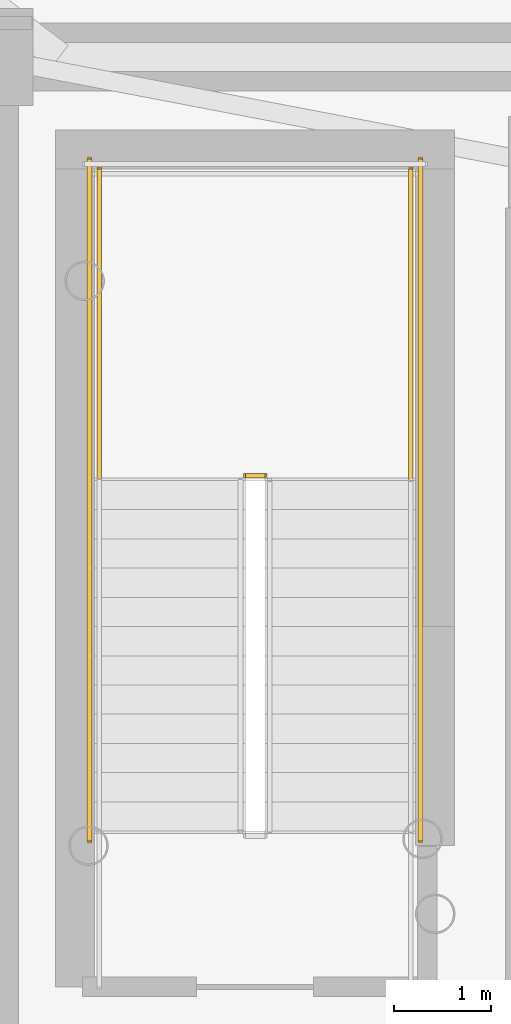
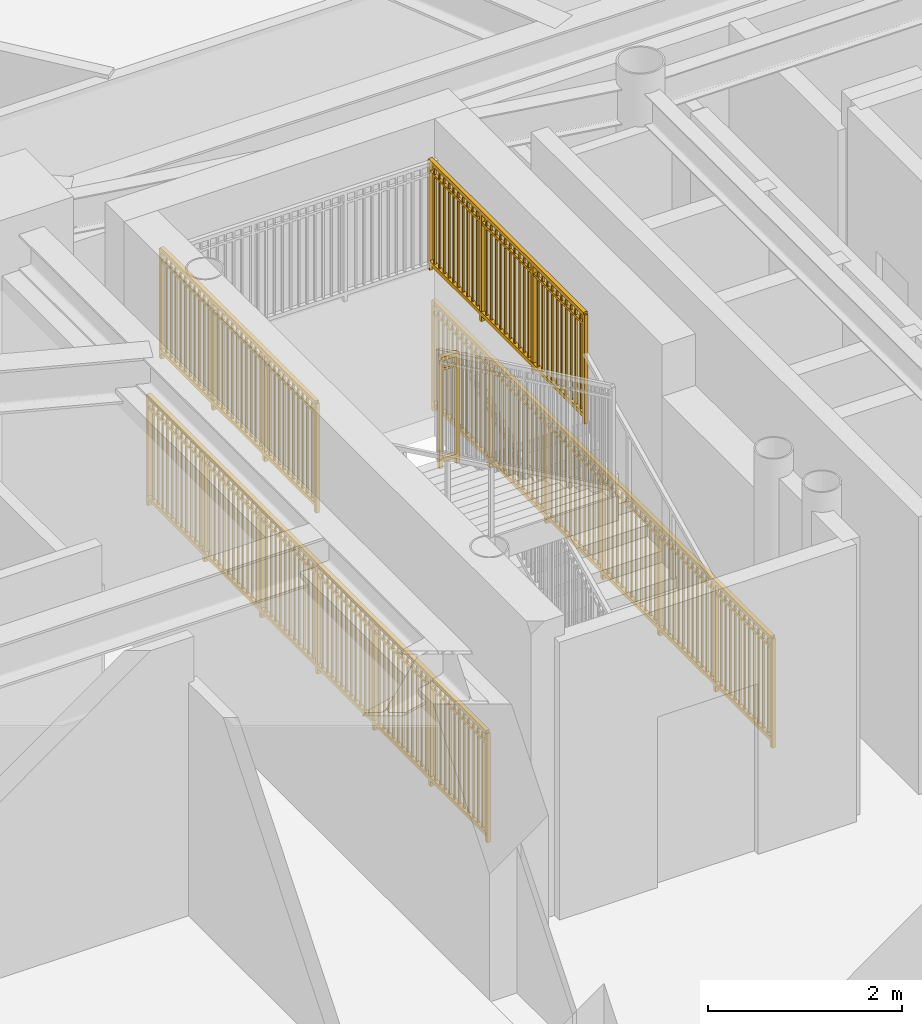
# One storey, part 16 of 19: 5 railings.
"""IFC4 building model written with IfcOpenShell, lengths in metres."""

from ifc_helpers import new_model, si_unit, direction, frame, origin, origin_2d, place, context, subcontext, project, spatial, rectangle, extrude, source, transform, mapped, material, type_object, element, save


model = new_model("IFC4")

# Units and contexts
model_context = context("Model", 3, precision=1e-05, world=origin(), true_north=direction((0.0, 1.0)))
body_context = subcontext(model_context, "Body", "Model", "MODEL_VIEW")
ifc_project = project(units=[si_unit("LENGTHUNIT", "METRE"), si_unit("AREAUNIT", "SQUARE_METRE"), si_unit("VOLUMEUNIT", "CUBIC_METRE"), si_unit("PLANEANGLEUNIT", "RADIAN"), si_unit("MASSUNIT", "GRAM", prefix="KILO")], contexts=[model_context])

# Site, building, storey
site_placement = place(None, origin())
site = spatial("IfcSite", under=ifc_project, at=site_placement, CompositionType="ELEMENT")
building_placement = place(site_placement, origin())
building = spatial("IfcBuilding", under=site, at=building_placement, Name="Linh Dai School and Residence Tower", CompositionType="ELEMENT")
storey_placement = place(building_placement, frame((0.0, 0.0, 210.300048828125)))
storey = spatial("IfcBuildingStorey", under=building, at=storey_placement, Name="L51", CompositionType="ELEMENT", Elevation=210.300048828125)

# Railings
ifc_material = material(Name="Structural Steel S355JR", Category="steel")
railing_type = type_object("IfcRailingType", Name="RL-ST-GUARD-1400", PredefinedType="GUARDRAIL", material=ifc_material)
shared_shape_1 = source(origin(), body_context, "Body", "SweptSolid", [
    extrude(rectangle(XDim=0.048095703125, YDim=0.048095703125, at=origin_2d()), frame((0.0, 0.0, 1.3759765625), z_axis=(-1.0, 0.0, 0.0), x_axis=(0.0, -1.0, 0.0)), (0.0, 0.0, 1.0), 0.199951171875),
    extrude(rectangle(XDim=0.048095703125, YDim=0.048095703125, at=origin_2d()), frame((0.0, 0.0, 0.10009765625), z_axis=(-1.0, 0.0, 0.0), x_axis=(0.0, -1.0, 0.0)), (0.0, 0.0, 1.0), 0.199951171875),
    extrude(rectangle(XDim=0.030029296875, YDim=0.030029296875, at=origin_2d()), frame((0.0, 0.0, 1.239990234375), z_axis=(-1.0, 0.0, 0.0), x_axis=(0.0, -1.0, 0.0)), (0.0, 0.0, 1.0), 0.199951171875),
    extrude(rectangle(XDim=0.0419921875, YDim=0.0419921875, at=origin_2d()), origin(), (0.0, 0.0, 1.0), 1.3759765625),
    extrude(rectangle(XDim=0.0419921875, YDim=0.0419921875, at=origin_2d()), frame((-0.199951171875, 0.0, 0.0)), (0.0, 0.0, 1.0), 1.3759765625),
])
railing_placement = place(storey_placement, frame((29.429931640625, 29.35009765625, 1.875)))
element("IfcRailing", 1, at=railing_placement, inside=storey, type_object=railing_type, Name="L51 ST1 stair guard 2", PredefinedType="GUARDRAIL", context=body_context, shape_type="MappedRepresentation", body=[
    mapped(shared_shape_1, transform((0.0, 0.0, 0.0), x_axis=(1.0, 0.0, 0.0), y_axis=(0.0, 1.0, 0.0), z_axis=(0.0, 0.0, 1.0), scale=1.0)),
])
shared_shape_2 = source(origin(), body_context, "Body", "SweptSolid", [
    extrude(rectangle(XDim=0.048095703125, YDim=0.048095703125, at=origin_2d()), frame((0.0, 0.0, 1.3759765625), z_axis=(0.0, 1.0, 0.0), x_axis=(-1.0, 0.0, 0.0)), (0.0, 0.0, 1.0), 7.0),
    extrude(rectangle(XDim=0.048095703125, YDim=0.048095703125, at=origin_2d()), frame((0.0, 0.0, 0.10009765625), z_axis=(0.0, 1.0, 0.0), x_axis=(-1.0, 0.0, 0.0)), (0.0, 0.0, 1.0), 7.0),
    extrude(rectangle(XDim=0.030029296875, YDim=0.030029296875, at=origin_2d()), frame((0.0, 0.0, 1.239990234375), z_axis=(0.0, 1.0, 0.0), x_axis=(-1.0, 0.0, 0.0)), (0.0, 0.0, 1.0), 7.0),
    extrude(rectangle(XDim=0.02001953125, YDim=0.02001953125, at=origin_2d()), frame((0.0, 0.09716796875, 0.10009765625)), (0.0, 0.0, 1.0), 1.251708984375),
    extrude(rectangle(XDim=0.02001953125, YDim=0.02001953125, at=origin_2d()), frame((0.0, 0.1943359375, 0.10009765625)), (0.0, 0.0, 1.0), 1.251708984375),
    extrude(rectangle(XDim=0.02001953125, YDim=0.02001953125, at=origin_2d()), frame((0.0, 0.291748046875, 0.10009765625)), (0.0, 0.0, 1.0), 1.251708984375),
    extrude(rectangle(XDim=0.02001953125, YDim=0.02001953125, at=origin_2d()), frame((0.0, 0.388916015625, 0.10009765625)), (0.0, 0.0, 1.0), 1.251708984375),
    extrude(rectangle(XDim=0.02001953125, YDim=0.02001953125, at=origin_2d()), frame((0.0, 0.486083984375, 0.10009765625)), (0.0, 0.0, 1.0), 1.251708984375),
    extrude(rectangle(XDim=0.02001953125, YDim=0.02001953125, at=origin_2d()), frame((0.0, 0.583251953125, 0.10009765625)), (0.0, 0.0, 1.0), 1.251708984375),
    extrude(rectangle(XDim=0.02001953125, YDim=0.02001953125, at=origin_2d()), frame((0.0, 0.6806640625, 0.10009765625)), (0.0, 0.0, 1.0), 1.251708984375),
    extrude(rectangle(XDim=0.02001953125, YDim=0.02001953125, at=origin_2d()), frame((0.0, 0.77783203125, 0.10009765625)), (0.0, 0.0, 1.0), 1.251708984375),
    extrude(rectangle(XDim=0.02001953125, YDim=0.02001953125, at=origin_2d()), frame((0.0, 0.875, 0.10009765625)), (0.0, 0.0, 1.0), 1.251708984375),
    extrude(rectangle(XDim=0.02001953125, YDim=0.02001953125, at=origin_2d()), frame((0.0, 0.97216796875, 0.10009765625)), (0.0, 0.0, 1.0), 1.251708984375),
    extrude(rectangle(XDim=0.02001953125, YDim=0.02001953125, at=origin_2d()), frame((0.0, 1.0693359375, 0.10009765625)), (0.0, 0.0, 1.0), 1.251708984375),
    extrude(rectangle(XDim=0.02001953125, YDim=0.02001953125, at=origin_2d()), frame((0.0, 1.263916015625, 0.10009765625)), (0.0, 0.0, 1.0), 1.251708984375),
    extrude(rectangle(XDim=0.02001953125, YDim=0.02001953125, at=origin_2d()), frame((0.0, 1.361083984375, 0.10009765625)), (0.0, 0.0, 1.0), 1.251708984375),
    extrude(rectangle(XDim=0.02001953125, YDim=0.02001953125, at=origin_2d()), frame((0.0, 1.458251953125, 0.10009765625)), (0.0, 0.0, 1.0), 1.251708984375),
    extrude(rectangle(XDim=0.02001953125, YDim=0.02001953125, at=origin_2d()), frame((0.0, 1.5556640625, 0.10009765625)), (0.0, 0.0, 1.0), 1.251708984375),
    extrude(rectangle(XDim=0.02001953125, YDim=0.02001953125, at=origin_2d()), frame((0.0, 1.65283203125, 0.10009765625)), (0.0, 0.0, 1.0), 1.251708984375),
    extrude(rectangle(XDim=0.02001953125, YDim=0.02001953125, at=origin_2d()), frame((0.0, 1.75, 0.10009765625)), (0.0, 0.0, 1.0), 1.251708984375),
    extrude(rectangle(XDim=0.02001953125, YDim=0.02001953125, at=origin_2d()), frame((0.0, 1.84716796875, 0.10009765625)), (0.0, 0.0, 1.0), 1.251708984375),
    extrude(rectangle(XDim=0.02001953125, YDim=0.02001953125, at=origin_2d()), frame((0.0, 1.9443359375, 0.10009765625)), (0.0, 0.0, 1.0), 1.251708984375),
    extrude(rectangle(XDim=0.02001953125, YDim=0.02001953125, at=origin_2d()), frame((0.0, 2.041748046875, 0.10009765625)), (0.0, 0.0, 1.0), 1.251708984375),
    extrude(rectangle(XDim=0.02001953125, YDim=0.02001953125, at=origin_2d()), frame((0.0, 2.138916015625, 0.10009765625)), (0.0, 0.0, 1.0), 1.251708984375),
    extrude(rectangle(XDim=0.02001953125, YDim=0.02001953125, at=origin_2d()), frame((0.0, 2.236083984375, 0.10009765625)), (0.0, 0.0, 1.0), 1.251708984375),
    extrude(rectangle(XDim=0.02001953125, YDim=0.02001953125, at=origin_2d()), frame((0.0, 2.4306640625, 0.10009765625)), (0.0, 0.0, 1.0), 1.251708984375),
    extrude(rectangle(XDim=0.02001953125, YDim=0.02001953125, at=origin_2d()), frame((0.0, 2.52783203125, 0.10009765625)), (0.0, 0.0, 1.0), 1.251708984375),
    extrude(rectangle(XDim=0.02001953125, YDim=0.02001953125, at=origin_2d()), frame((0.0, 2.625, 0.10009765625)), (0.0, 0.0, 1.0), 1.251708984375),
    extrude(rectangle(XDim=0.02001953125, YDim=0.02001953125, at=origin_2d()), frame((0.0, 2.72216796875, 0.10009765625)), (0.0, 0.0, 1.0), 1.251708984375),
    extrude(rectangle(XDim=0.02001953125, YDim=0.02001953125, at=origin_2d()), frame((0.0, 2.8193359375, 0.10009765625)), (0.0, 0.0, 1.0), 1.251708984375),
    extrude(rectangle(XDim=0.02001953125, YDim=0.02001953125, at=origin_2d()), frame((0.0, 2.916748046875, 0.10009765625)), (0.0, 0.0, 1.0), 1.251708984375),
    extrude(rectangle(XDim=0.02001953125, YDim=0.02001953125, at=origin_2d()), frame((0.0, 3.013916015625, 0.10009765625)), (0.0, 0.0, 1.0), 1.251708984375),
    extrude(rectangle(XDim=0.02001953125, YDim=0.02001953125, at=origin_2d()), frame((0.0, 3.111083984375, 0.10009765625)), (0.0, 0.0, 1.0), 1.251708984375),
    extrude(rectangle(XDim=0.02001953125, YDim=0.02001953125, at=origin_2d()), frame((0.0, 3.208251953125, 0.10009765625)), (0.0, 0.0, 1.0), 1.251708984375),
    extrude(rectangle(XDim=0.02001953125, YDim=0.02001953125, at=origin_2d()), frame((0.0, 3.3056640625, 0.10009765625)), (0.0, 0.0, 1.0), 1.251708984375),
    extrude(rectangle(XDim=0.02001953125, YDim=0.02001953125, at=origin_2d()), frame((0.0, 3.40283203125, 0.10009765625)), (0.0, 0.0, 1.0), 1.251708984375),
    extrude(rectangle(XDim=0.02001953125, YDim=0.02001953125, at=origin_2d()), frame((0.0, 3.59716796875, 0.10009765625)), (0.0, 0.0, 1.0), 1.251708984375),
    extrude(rectangle(XDim=0.02001953125, YDim=0.02001953125, at=origin_2d()), frame((0.0, 3.6943359375, 0.10009765625)), (0.0, 0.0, 1.0), 1.251708984375),
    extrude(rectangle(XDim=0.02001953125, YDim=0.02001953125, at=origin_2d()), frame((0.0, 3.791748046875, 0.10009765625)), (0.0, 0.0, 1.0), 1.251708984375),
    extrude(rectangle(XDim=0.02001953125, YDim=0.02001953125, at=origin_2d()), frame((0.0, 3.888916015625, 0.10009765625)), (0.0, 0.0, 1.0), 1.251708984375),
    extrude(rectangle(XDim=0.02001953125, YDim=0.02001953125, at=origin_2d()), frame((0.0, 3.986083984375, 0.10009765625)), (0.0, 0.0, 1.0), 1.251708984375),
    extrude(rectangle(XDim=0.02001953125, YDim=0.02001953125, at=origin_2d()), frame((0.0, 4.083251953125, 0.10009765625)), (0.0, 0.0, 1.0), 1.251708984375),
    extrude(rectangle(XDim=0.02001953125, YDim=0.02001953125, at=origin_2d()), frame((0.0, 4.1806640625, 0.10009765625)), (0.0, 0.0, 1.0), 1.251708984375),
    extrude(rectangle(XDim=0.02001953125, YDim=0.02001953125, at=origin_2d()), frame((0.0, 4.27783203125, 0.10009765625)), (0.0, 0.0, 1.0), 1.251708984375),
    extrude(rectangle(XDim=0.02001953125, YDim=0.02001953125, at=origin_2d()), frame((0.0, 4.375, 0.10009765625)), (0.0, 0.0, 1.0), 1.251708984375),
    extrude(rectangle(XDim=0.02001953125, YDim=0.02001953125, at=origin_2d()), frame((0.0, 4.47216796875, 0.10009765625)), (0.0, 0.0, 1.0), 1.251708984375),
    extrude(rectangle(XDim=0.02001953125, YDim=0.02001953125, at=origin_2d()), frame((0.0, 4.5693359375, 0.10009765625)), (0.0, 0.0, 1.0), 1.251708984375),
    extrude(rectangle(XDim=0.02001953125, YDim=0.02001953125, at=origin_2d()), frame((0.0, 4.763916015625, 0.10009765625)), (0.0, 0.0, 1.0), 1.251708984375),
    extrude(rectangle(XDim=0.02001953125, YDim=0.02001953125, at=origin_2d()), frame((0.0, 4.861083984375, 0.10009765625)), (0.0, 0.0, 1.0), 1.251708984375),
    extrude(rectangle(XDim=0.02001953125, YDim=0.02001953125, at=origin_2d()), frame((0.0, 4.958251953125, 0.10009765625)), (0.0, 0.0, 1.0), 1.251708984375),
    extrude(rectangle(XDim=0.02001953125, YDim=0.02001953125, at=origin_2d()), frame((0.0, 5.0556640625, 0.10009765625)), (0.0, 0.0, 1.0), 1.251708984375),
    extrude(rectangle(XDim=0.02001953125, YDim=0.02001953125, at=origin_2d()), frame((0.0, 5.15283203125, 0.10009765625)), (0.0, 0.0, 1.0), 1.251708984375),
    extrude(rectangle(XDim=0.02001953125, YDim=0.02001953125, at=origin_2d()), frame((0.0, 5.25, 0.10009765625)), (0.0, 0.0, 1.0), 1.251708984375),
    extrude(rectangle(XDim=0.02001953125, YDim=0.02001953125, at=origin_2d()), frame((0.0, 5.34716796875, 0.10009765625)), (0.0, 0.0, 1.0), 1.251708984375),
    extrude(rectangle(XDim=0.02001953125, YDim=0.02001953125, at=origin_2d()), frame((0.0, 5.4443359375, 0.10009765625)), (0.0, 0.0, 1.0), 1.251708984375),
    extrude(rectangle(XDim=0.02001953125, YDim=0.02001953125, at=origin_2d()), frame((0.0, 5.541748046875, 0.10009765625)), (0.0, 0.0, 1.0), 1.251708984375),
    extrude(rectangle(XDim=0.02001953125, YDim=0.02001953125, at=origin_2d()), frame((0.0, 5.638916015625, 0.10009765625)), (0.0, 0.0, 1.0), 1.251708984375),
    extrude(rectangle(XDim=0.02001953125, YDim=0.02001953125, at=origin_2d()), frame((0.0, 5.736083984375, 0.10009765625)), (0.0, 0.0, 1.0), 1.251708984375),
    extrude(rectangle(XDim=0.02001953125, YDim=0.02001953125, at=origin_2d()), frame((0.0, 5.9306640625, 0.10009765625)), (0.0, 0.0, 1.0), 1.251708984375),
    extrude(rectangle(XDim=0.02001953125, YDim=0.02001953125, at=origin_2d()), frame((0.0, 6.02783203125, 0.10009765625)), (0.0, 0.0, 1.0), 1.251708984375),
    extrude(rectangle(XDim=0.02001953125, YDim=0.02001953125, at=origin_2d()), frame((0.0, 6.125, 0.10009765625)), (0.0, 0.0, 1.0), 1.251708984375),
    extrude(rectangle(XDim=0.02001953125, YDim=0.02001953125, at=origin_2d()), frame((0.0, 6.22216796875, 0.10009765625)), (0.0, 0.0, 1.0), 1.251708984375),
    extrude(rectangle(XDim=0.02001953125, YDim=0.02001953125, at=origin_2d()), frame((0.0, 6.3193359375, 0.10009765625)), (0.0, 0.0, 1.0), 1.251708984375),
    extrude(rectangle(XDim=0.02001953125, YDim=0.02001953125, at=origin_2d()), frame((0.0, 6.416748046875, 0.10009765625)), (0.0, 0.0, 1.0), 1.251708984375),
    extrude(rectangle(XDim=0.02001953125, YDim=0.02001953125, at=origin_2d()), frame((0.0, 6.513916015625, 0.10009765625)), (0.0, 0.0, 1.0), 1.251708984375),
    extrude(rectangle(XDim=0.02001953125, YDim=0.02001953125, at=origin_2d()), frame((0.0, 6.611083984375, 0.10009765625)), (0.0, 0.0, 1.0), 1.251708984375),
    extrude(rectangle(XDim=0.02001953125, YDim=0.02001953125, at=origin_2d()), frame((0.0, 6.708251953125, 0.10009765625)), (0.0, 0.0, 1.0), 1.251708984375),
    extrude(rectangle(XDim=0.02001953125, YDim=0.02001953125, at=origin_2d()), frame((0.0, 6.8056640625, 0.10009765625)), (0.0, 0.0, 1.0), 1.251708984375),
    extrude(rectangle(XDim=0.02001953125, YDim=0.02001953125, at=origin_2d()), frame((0.0, 6.90283203125, 0.10009765625)), (0.0, 0.0, 1.0), 1.251708984375),
    extrude(rectangle(XDim=0.0419921875, YDim=0.0419921875, at=origin_2d()), origin(), (0.0, 0.0, 1.0), 1.3759765625),
    extrude(rectangle(XDim=0.0419921875, YDim=0.0419921875, at=origin_2d()), frame((0.0, 1.166748046875, 0.0)), (0.0, 0.0, 1.0), 1.3759765625),
    extrude(rectangle(XDim=0.0419921875, YDim=0.0419921875, at=origin_2d()), frame((0.0, 2.333251953125, 0.0)), (0.0, 0.0, 1.0), 1.3759765625),
    extrude(rectangle(XDim=0.0419921875, YDim=0.0419921875, at=origin_2d()), frame((0.0, 3.5, 0.0)), (0.0, 0.0, 1.0), 1.3759765625),
    extrude(rectangle(XDim=0.0419921875, YDim=0.0419921875, at=origin_2d()), frame((0.0, 4.666748046875, 0.0)), (0.0, 0.0, 1.0), 1.3759765625),
    extrude(rectangle(XDim=0.0419921875, YDim=0.0419921875, at=origin_2d()), frame((0.0, 5.833251953125, 0.0)), (0.0, 0.0, 1.0), 1.3759765625),
    extrude(rectangle(XDim=0.0419921875, YDim=0.0419921875, at=origin_2d()), frame((0.0, 7.0, 0.0)), (0.0, 0.0, 1.0), 1.3759765625),
])
for number, where, name in (
    (2, (31.030029296875, 25.60009765625, 0.0), "L51 ST1 stair guard 10"),
    (3, (27.6298828125, 25.60009765625, 0.0), "L51 ST1 stair guard 11"),
):
    element("IfcRailing", number, at=place(storey_placement, frame(where)), inside=storey, type_object=railing_type, Name=name, PredefinedType="GUARDRAIL", context=body_context, shape_type="MappedRepresentation", body=[
        mapped(shared_shape_2, transform((0.0, 0.0, 0.0), x_axis=(1.0, 0.0, 0.0), y_axis=(0.0, 1.0, 0.0), z_axis=(0.0, 0.0, 1.0), scale=1.0)),
    ])
shared_shape_3 = source(origin(), body_context, "Body", "SweptSolid", [
    extrude(rectangle(XDim=0.048095703125, YDim=0.048095703125, at=origin_2d()), frame((0.0, 0.0, 1.3759765625), z_axis=(0.0, 1.0, 0.0), x_axis=(-1.0, 0.0, 0.0)), (0.0, 0.0, 1.0), 3.199951171875),
    extrude(rectangle(XDim=0.048095703125, YDim=0.048095703125, at=origin_2d()), frame((0.0, 0.0, 0.10009765625), z_axis=(0.0, 1.0, 0.0), x_axis=(-1.0, 0.0, 0.0)), (0.0, 0.0, 1.0), 3.199951171875),
    extrude(rectangle(XDim=0.030029296875, YDim=0.030029296875, at=origin_2d()), frame((0.0, 0.0, 1.239990234375), z_axis=(0.0, 1.0, 0.0), x_axis=(-1.0, 0.0, 0.0)), (0.0, 0.0, 1.0), 3.199951171875),
    extrude(rectangle(XDim=0.02001953125, YDim=0.02001953125, at=origin_2d()), frame((0.0, 0.096923828125, 0.10009765625)), (0.0, 0.0, 1.0), 1.251708984375),
    extrude(rectangle(XDim=0.02001953125, YDim=0.02001953125, at=origin_2d()), frame((0.0, 0.19384765625, 0.10009765625)), (0.0, 0.0, 1.0), 1.251708984375),
    extrude(rectangle(XDim=0.02001953125, YDim=0.02001953125, at=origin_2d()), frame((0.0, 0.291015625, 0.10009765625)), (0.0, 0.0, 1.0), 1.251708984375),
    extrude(rectangle(XDim=0.02001953125, YDim=0.02001953125, at=origin_2d()), frame((0.0, 0.387939453125, 0.10009765625)), (0.0, 0.0, 1.0), 1.251708984375),
    extrude(rectangle(XDim=0.02001953125, YDim=0.02001953125, at=origin_2d()), frame((0.0, 0.48486328125, 0.10009765625)), (0.0, 0.0, 1.0), 1.251708984375),
    extrude(rectangle(XDim=0.02001953125, YDim=0.02001953125, at=origin_2d()), frame((0.0, 0.581787109375, 0.10009765625)), (0.0, 0.0, 1.0), 1.251708984375),
    extrude(rectangle(XDim=0.02001953125, YDim=0.02001953125, at=origin_2d()), frame((0.0, 0.6787109375, 0.10009765625)), (0.0, 0.0, 1.0), 1.251708984375),
    extrude(rectangle(XDim=0.02001953125, YDim=0.02001953125, at=origin_2d()), frame((0.0, 0.775634765625, 0.10009765625)), (0.0, 0.0, 1.0), 1.251708984375),
    extrude(rectangle(XDim=0.02001953125, YDim=0.02001953125, at=origin_2d()), frame((0.0, 0.872802734375, 0.10009765625)), (0.0, 0.0, 1.0), 1.251708984375),
    extrude(rectangle(XDim=0.02001953125, YDim=0.02001953125, at=origin_2d()), frame((0.0, 0.9697265625, 0.10009765625)), (0.0, 0.0, 1.0), 1.251708984375),
    extrude(rectangle(XDim=0.02001953125, YDim=0.02001953125, at=origin_2d()), frame((0.0, 1.16357421875, 0.10009765625)), (0.0, 0.0, 1.0), 1.251708984375),
    extrude(rectangle(XDim=0.02001953125, YDim=0.02001953125, at=origin_2d()), frame((0.0, 1.260498046875, 0.10009765625)), (0.0, 0.0, 1.0), 1.251708984375),
    extrude(rectangle(XDim=0.02001953125, YDim=0.02001953125, at=origin_2d()), frame((0.0, 1.357666015625, 0.10009765625)), (0.0, 0.0, 1.0), 1.251708984375),
    extrude(rectangle(XDim=0.02001953125, YDim=0.02001953125, at=origin_2d()), frame((0.0, 1.45458984375, 0.10009765625)), (0.0, 0.0, 1.0), 1.251708984375),
    extrude(rectangle(XDim=0.02001953125, YDim=0.02001953125, at=origin_2d()), frame((0.0, 1.551513671875, 0.10009765625)), (0.0, 0.0, 1.0), 1.251708984375),
    extrude(rectangle(XDim=0.02001953125, YDim=0.02001953125, at=origin_2d()), frame((0.0, 1.6484375, 0.10009765625)), (0.0, 0.0, 1.0), 1.251708984375),
    extrude(rectangle(XDim=0.02001953125, YDim=0.02001953125, at=origin_2d()), frame((0.0, 1.745361328125, 0.10009765625)), (0.0, 0.0, 1.0), 1.251708984375),
    extrude(rectangle(XDim=0.02001953125, YDim=0.02001953125, at=origin_2d()), frame((0.0, 1.84228515625, 0.10009765625)), (0.0, 0.0, 1.0), 1.251708984375),
    extrude(rectangle(XDim=0.02001953125, YDim=0.02001953125, at=origin_2d()), frame((0.0, 1.939453125, 0.10009765625)), (0.0, 0.0, 1.0), 1.251708984375),
    extrude(rectangle(XDim=0.02001953125, YDim=0.02001953125, at=origin_2d()), frame((0.0, 2.036376953125, 0.10009765625)), (0.0, 0.0, 1.0), 1.251708984375),
    extrude(rectangle(XDim=0.02001953125, YDim=0.02001953125, at=origin_2d()), frame((0.0, 2.230224609375, 0.10009765625)), (0.0, 0.0, 1.0), 1.251708984375),
    extrude(rectangle(XDim=0.02001953125, YDim=0.02001953125, at=origin_2d()), frame((0.0, 2.3271484375, 0.10009765625)), (0.0, 0.0, 1.0), 1.251708984375),
    extrude(rectangle(XDim=0.02001953125, YDim=0.02001953125, at=origin_2d()), frame((0.0, 2.42431640625, 0.10009765625)), (0.0, 0.0, 1.0), 1.251708984375),
    extrude(rectangle(XDim=0.02001953125, YDim=0.02001953125, at=origin_2d()), frame((0.0, 2.521240234375, 0.10009765625)), (0.0, 0.0, 1.0), 1.251708984375),
    extrude(rectangle(XDim=0.02001953125, YDim=0.02001953125, at=origin_2d()), frame((0.0, 2.6181640625, 0.10009765625)), (0.0, 0.0, 1.0), 1.251708984375),
    extrude(rectangle(XDim=0.02001953125, YDim=0.02001953125, at=origin_2d()), frame((0.0, 2.715087890625, 0.10009765625)), (0.0, 0.0, 1.0), 1.251708984375),
    extrude(rectangle(XDim=0.02001953125, YDim=0.02001953125, at=origin_2d()), frame((0.0, 2.81201171875, 0.10009765625)), (0.0, 0.0, 1.0), 1.251708984375),
    extrude(rectangle(XDim=0.02001953125, YDim=0.02001953125, at=origin_2d()), frame((0.0, 2.908935546875, 0.10009765625)), (0.0, 0.0, 1.0), 1.251708984375),
    extrude(rectangle(XDim=0.02001953125, YDim=0.02001953125, at=origin_2d()), frame((0.0, 3.006103515625, 0.10009765625)), (0.0, 0.0, 1.0), 1.251708984375),
    extrude(rectangle(XDim=0.02001953125, YDim=0.02001953125, at=origin_2d()), frame((0.0, 3.10302734375, 0.10009765625)), (0.0, 0.0, 1.0), 1.251708984375),
    extrude(rectangle(XDim=0.0419921875, YDim=0.0419921875, at=origin_2d()), origin(), (0.0, 0.0, 1.0), 1.3759765625),
    extrude(rectangle(XDim=0.0419921875, YDim=0.0419921875, at=origin_2d()), frame((0.0, 1.066650390625, 0.0)), (0.0, 0.0, 1.0), 1.3759765625),
    extrude(rectangle(XDim=0.0419921875, YDim=0.0419921875, at=origin_2d()), frame((0.0, 2.13330078125, 0.0)), (0.0, 0.0, 1.0), 1.3759765625),
    extrude(rectangle(XDim=0.0419921875, YDim=0.0419921875, at=origin_2d()), frame((0.0, 3.199951171875, 0.0)), (0.0, 0.0, 1.0), 1.3759765625),
])
for number, where, name in (
    (4, (30.929931640625, 29.300048828125, 1.875), "L51 ST1 stair guard 3"),
    (5, (27.72998046875, 29.300048828125, 1.875), "L51 ST1 stair guard 4"),
):
    element("IfcRailing", number, at=place(storey_placement, frame(where)), inside=storey, type_object=railing_type, Name=name, PredefinedType="GUARDRAIL", context=body_context, shape_type="MappedRepresentation", body=[
        mapped(shared_shape_3, transform((0.0, 0.0, 0.0), x_axis=(1.0, 0.0, 0.0), y_axis=(0.0, 1.0, 0.0), z_axis=(0.0, 0.0, 1.0), scale=1.0)),
    ])

save(model, "model.ifc")
